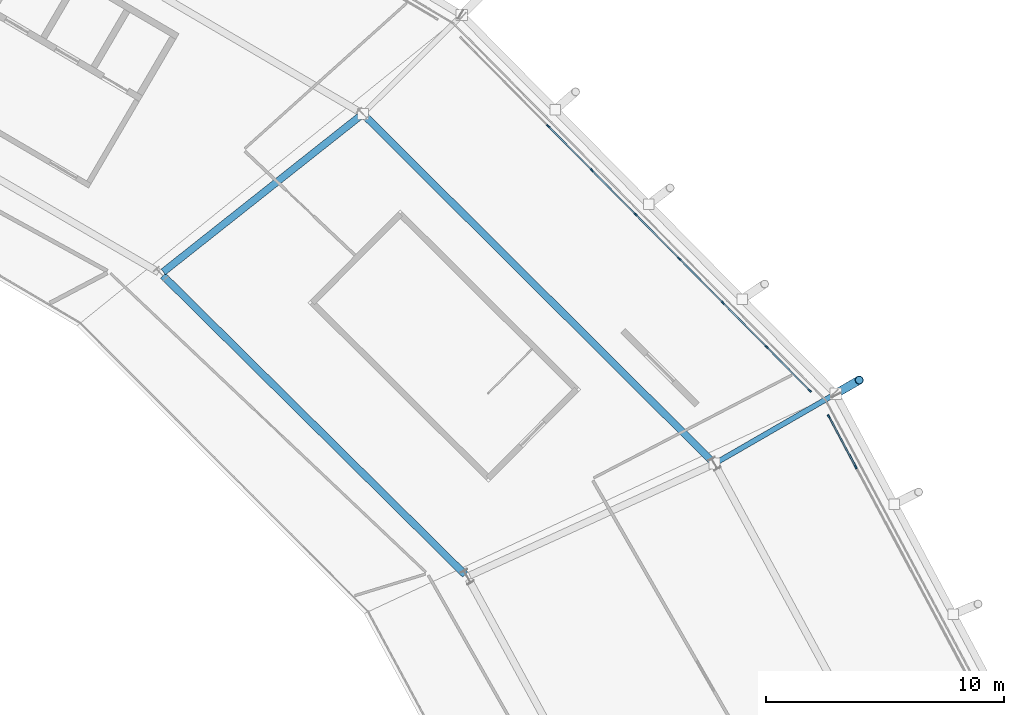
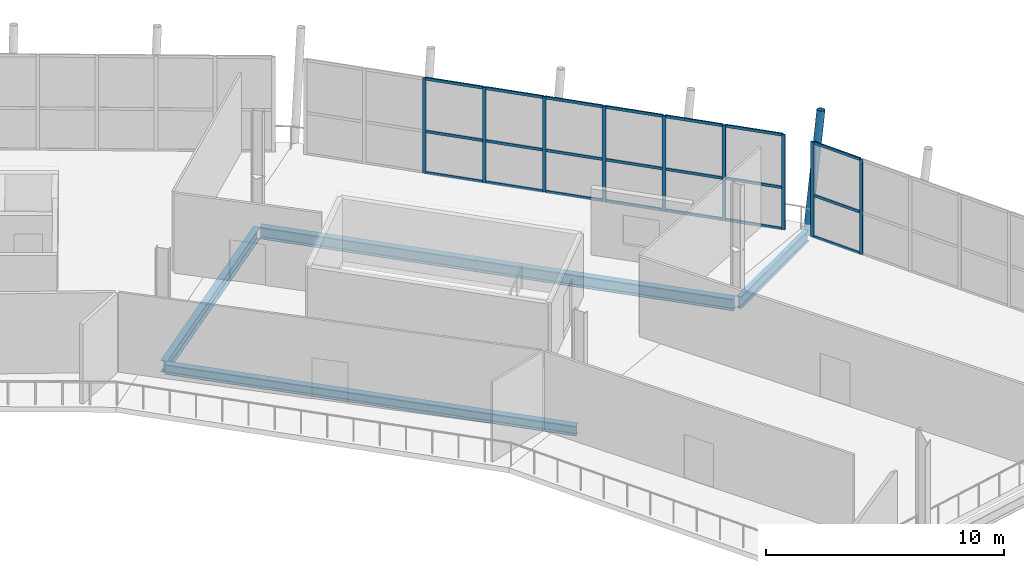
# One storey, part 40 of 99: 31 members, 4 beams, 2 elements without a shape of their own.
"""IFC4 building model written with IfcOpenShell, lengths in metres."""

from ifc_helpers import new_model, si_unit, direction, frame, origin, origin_2d, place, context, subcontext, project, spatial, rectangle, hollow_circle, i_section, extrude, material, material_profile, profile_set, type_object, element, aggregate, save


model = new_model("IFC4")

# Units and contexts
model_context = context("Model", 3, precision=1e-05, world=origin(), true_north=direction((0.0, 1.0)))
body_context = subcontext(model_context, "Body", "Model", "MODEL_VIEW")
ifc_project = project(units=[si_unit("LENGTHUNIT", "METRE"), si_unit("AREAUNIT", "SQUARE_METRE"), si_unit("VOLUMEUNIT", "CUBIC_METRE"), si_unit("PLANEANGLEUNIT", "RADIAN"), si_unit("MASSUNIT", "GRAM", prefix="KILO")], contexts=[model_context])

# Site, building, storey
site_placement = place(None, origin())
site = spatial("IfcSite", under=ifc_project, at=site_placement, CompositionType="ELEMENT")
building_placement = place(site_placement, origin())
building = spatial("IfcBuilding", under=site, at=building_placement, Name="Zlatoyarsky Gate Stadium", CompositionType="ELEMENT")
storey_placement = place(building_placement, frame((0.0, 0.0, 26.199951171875)))
storey = spatial("IfcBuildingStorey", under=building, at=storey_placement, Name="L05", CompositionType="ELEMENT", Elevation=26.199951171875)

# Curtain wall, members
ifc_material_1 = material(Name="Thermally broken anodised aluminium curtain wall", Category="aluminium")
curtain_wall_type = type_object("IfcCurtainWallType", Name="UNITISED SKYBOX RING GLAZING L05", PredefinedType="USERDEFINED", material=ifc_material_1)
curtain_wall_1_placement = place(storey_placement, origin())
curtain_wall_1 = element("IfcCurtainWall", 1, at=curtain_wall_1_placement, inside=storey, type_object=curtain_wall_type, Name="Curtain wall CW-L05-01", ObjectType="UNITISED GLAZING", PredefinedType="USERDEFINED")
ifc_material_2 = material(Name="Anodised aluminium 6063-T6", Category="aluminium")
ifc_material_profile_1 = material_profile(ifc_material_2, rectangle(XDim=0.06494140625, YDim=0.159912109375, at=origin_2d()), Name="ALU 65X160")
ifc_profile_set_1 = profile_set([ifc_material_profile_1], Name="Anodised aluminium 6063-T6")
member_type_1 = type_object("IfcMemberType", Name="ALUMINIUM MULLION 65X160", PredefinedType="MULLION", material=ifc_profile_set_1)
member_1_placement = place(storey_placement, frame((197.480224609375, 115.3623046875, 0.0), z_axis=(0.0, 0.0, 1.0), x_axis=(-0.882166738191, -0.470937199667, 0.0)))
member_1 = element("IfcMember", 2, at=member_1_placement, type_object=member_type_1, Name="CW-UG5 mullion 8", PredefinedType="MULLION", context=body_context, shape_type="SweptSolid", body=[
    extrude(rectangle(XDim=0.06494140625, YDim=0.159912109375, at=origin_2d()), origin(), (0.0, 0.0, 1.0), 4.880126953125),
])
member_2_placement = place(storey_placement, frame((196.34619140625, 117.48681640625, 0.0), z_axis=(0.0, 0.0, 1.0), x_axis=(-0.882166738191, -0.470937199667, 0.0)))
member_2 = element("IfcMember", 3, at=member_2_placement, type_object=member_type_1, Name="CW-UG5 mullion 9", PredefinedType="MULLION", context=body_context, shape_type="SweptSolid", body=[
    extrude(rectangle(XDim=0.06494140625, YDim=0.159912109375, at=origin_2d()), origin(), (0.0, 0.0, 1.0), 4.880126953125),
])

curtain_wall_2_placement = place(storey_placement, origin())
curtain_wall_2 = element("IfcCurtainWall", 4, at=curtain_wall_2_placement, inside=storey, type_object=curtain_wall_type, Name="Curtain wall CW-L05-02", ObjectType="UNITISED GLAZING", PredefinedType="USERDEFINED")
member_3_placement = place(storey_placement, frame((195.544677734375, 118.57421875, 0.0), z_axis=(0.0, 0.0, 1.0), x_axis=(-0.711035710587, -0.70315589898, 0.0)))
member_3 = element("IfcMember", 5, at=member_3_placement, type_object=member_type_1, Name="CW-UG5 mullion 1", PredefinedType="MULLION", context=body_context, shape_type="SweptSolid", body=[
    extrude(rectangle(XDim=0.06494140625, YDim=0.159912109375, at=origin_2d()), origin(), (0.0, 0.0, 1.0), 4.880126953125),
])
member_4_placement = place(storey_placement, frame((193.731689453125, 120.40771484375, 0.0), z_axis=(0.0, 0.0, 1.0), x_axis=(-0.711035710587, -0.70315589898, 0.0)))
member_4 = element("IfcMember", 6, at=member_4_placement, type_object=member_type_1, Name="CW-UG5 mullion 2", PredefinedType="MULLION", context=body_context, shape_type="SweptSolid", body=[
    extrude(rectangle(XDim=0.06494140625, YDim=0.159912109375, at=origin_2d()), origin(), (0.0, 0.0, 1.0), 4.880126953125),
])
member_5_placement = place(storey_placement, frame((191.8955078125, 122.264404296875, 0.0), z_axis=(0.0, 0.0, 1.0), x_axis=(-0.711035710587, -0.70315589898, 0.0)))
member_5 = element("IfcMember", 7, at=member_5_placement, type_object=member_type_1, Name="CW-UG5 mullion 3", PredefinedType="MULLION", context=body_context, shape_type="SweptSolid", body=[
    extrude(rectangle(XDim=0.06494140625, YDim=0.159912109375, at=origin_2d()), origin(), (0.0, 0.0, 1.0), 4.880126953125),
])
member_6_placement = place(storey_placement, frame((190.0595703125, 124.120849609375, 0.0), z_axis=(0.0, 0.0, 1.0), x_axis=(-0.711035710587, -0.70315589898, 0.0)))
member_6 = element("IfcMember", 8, at=member_6_placement, type_object=member_type_1, Name="CW-UG5 mullion 4", PredefinedType="MULLION", context=body_context, shape_type="SweptSolid", body=[
    extrude(rectangle(XDim=0.06494140625, YDim=0.159912109375, at=origin_2d()), origin(), (0.0, 0.0, 1.0), 4.880126953125),
])
member_7_placement = place(storey_placement, frame((188.2236328125, 125.9775390625, 0.0), z_axis=(0.0, 0.0, 1.0), x_axis=(-0.711035710587, -0.70315589898, 0.0)))
member_7 = element("IfcMember", 9, at=member_7_placement, type_object=member_type_1, Name="CW-UG5 mullion 5", PredefinedType="MULLION", context=body_context, shape_type="SweptSolid", body=[
    extrude(rectangle(XDim=0.06494140625, YDim=0.159912109375, at=origin_2d()), origin(), (0.0, 0.0, 1.0), 4.880126953125),
])
member_8_placement = place(storey_placement, frame((186.387451171875, 127.834228515625, 0.0), z_axis=(0.0, 0.0, 1.0), x_axis=(-0.711035710587, -0.70315589898, 0.0)))
member_8 = element("IfcMember", 10, at=member_8_placement, type_object=member_type_1, Name="CW-UG5 mullion 6", PredefinedType="MULLION", context=body_context, shape_type="SweptSolid", body=[
    extrude(rectangle(XDim=0.06494140625, YDim=0.159912109375, at=origin_2d()), origin(), (0.0, 0.0, 1.0), 4.880126953125),
])
member_9_placement = place(storey_placement, frame((184.551513671875, 129.690673828125, 0.0), z_axis=(0.0, 0.0, 1.0), x_axis=(-0.711035710587, -0.70315589898, 0.0)))
member_9 = element("IfcMember", 11, at=member_9_placement, type_object=member_type_1, Name="CW-UG5 mullion 7", PredefinedType="MULLION", context=body_context, shape_type="SweptSolid", body=[
    extrude(rectangle(XDim=0.06494140625, YDim=0.159912109375, at=origin_2d()), origin(), (0.0, 0.0, 1.0), 4.880126953125),
])

# Member
ifc_material_profile_2 = material_profile(ifc_material_2, rectangle(XDim=0.06494140625, YDim=0.139892578125, at=origin_2d()), Name="ALU 65X140")
ifc_profile_set_2 = profile_set([ifc_material_profile_2], Name="Anodised aluminium 6063-T6")
member_type_2 = type_object("IfcMemberType", Name="ALUMINIUM TRANSOM 65X140", PredefinedType="USERDEFINED", material=ifc_profile_set_2)
member_10_placement = place(storey_placement, frame((197.465087890625, 115.39111328125, 0.032470703125), z_axis=(-0.471015370143, 0.882125003097, 0.0), x_axis=(-0.882125003097, -0.471015370143, 0.0)))
member_10 = element("IfcMember", 12, at=member_10_placement, type_object=member_type_2, Name="CW-UG5 transom 8.1", ObjectType="TRANSOM", PredefinedType="USERDEFINED", context=body_context, shape_type="SweptSolid", body=[
    extrude(rectangle(XDim=0.06494140625, YDim=0.139892578125, at=origin_2d()), origin(), (0.0, 0.0, 1.0), 2.34326171875),
])

member_11_placement = place(storey_placement, frame((197.465087890625, 115.39111328125, 2.150146484375), z_axis=(-0.471015370143, 0.882125003097, 0.0), x_axis=(-0.882125003097, -0.471015370143, 0.0)))
member_11 = element("IfcMember", 13, at=member_11_placement, type_object=member_type_2, Name="CW-UG5 transom 8.2", ObjectType="TRANSOM", PredefinedType="USERDEFINED", context=body_context, shape_type="SweptSolid", body=[
    extrude(rectangle(XDim=0.06494140625, YDim=0.139892578125, at=origin_2d()), origin(), (0.0, 0.0, 1.0), 2.34326171875),
])

member_12_placement = place(storey_placement, frame((197.465087890625, 115.39111328125, 4.84765625), z_axis=(-0.471015370143, 0.882125003097, 0.0), x_axis=(-0.882125003097, -0.471015370143, 0.0)))
member_12 = element("IfcMember", 14, at=member_12_placement, type_object=member_type_2, Name="CW-UG5 transom 8.3", ObjectType="TRANSOM", PredefinedType="USERDEFINED", context=body_context, shape_type="SweptSolid", body=[
    extrude(rectangle(XDim=0.06494140625, YDim=0.139892578125, at=origin_2d()), origin(), (0.0, 0.0, 1.0), 2.34326171875),
])

aggregate(curtain_wall_1, [member_1, member_2, member_10, member_11, member_12])

member_13_placement = place(storey_placement, frame((195.52197265625, 118.597412109375, 0.032470703125), z_axis=(-0.703162404699, 0.711029276906, 0.0), x_axis=(-0.711029276906, -0.703162404699, 0.0)))
member_13 = element("IfcMember", 15, at=member_13_placement, type_object=member_type_2, Name="CW-UG5 transom 1.1", ObjectType="TRANSOM", PredefinedType="USERDEFINED", context=body_context, shape_type="SweptSolid", body=[
    extrude(rectangle(XDim=0.06494140625, YDim=0.139892578125, at=origin_2d()), origin(), (0.0, 0.0, 1.0), 2.513671875),
])

member_14_placement = place(storey_placement, frame((195.52197265625, 118.597412109375, 2.150146484375), z_axis=(-0.703162404699, 0.711029276906, 0.0), x_axis=(-0.711029276906, -0.703162404699, 0.0)))
member_14 = element("IfcMember", 16, at=member_14_placement, type_object=member_type_2, Name="CW-UG5 transom 1.2", ObjectType="TRANSOM", PredefinedType="USERDEFINED", context=body_context, shape_type="SweptSolid", body=[
    extrude(rectangle(XDim=0.06494140625, YDim=0.139892578125, at=origin_2d()), origin(), (0.0, 0.0, 1.0), 2.513671875),
])

member_15_placement = place(storey_placement, frame((195.52197265625, 118.597412109375, 4.84765625), z_axis=(-0.703162404699, 0.711029276906, 0.0), x_axis=(-0.711029276906, -0.703162404699, 0.0)))
member_15 = element("IfcMember", 17, at=member_15_placement, type_object=member_type_2, Name="CW-UG5 transom 1.3", ObjectType="TRANSOM", PredefinedType="USERDEFINED", context=body_context, shape_type="SweptSolid", body=[
    extrude(rectangle(XDim=0.06494140625, YDim=0.139892578125, at=origin_2d()), origin(), (0.0, 0.0, 1.0), 2.513671875),
])

member_16_placement = place(storey_placement, frame((193.708740234375, 120.430908203125, 0.032470703125), z_axis=(-0.7031643449, 0.711027358166, 0.0), x_axis=(-0.711027358166, -0.7031643449, 0.0)))
member_16 = element("IfcMember", 18, at=member_16_placement, type_object=member_type_2, Name="CW-UG5 transom 2.1", ObjectType="TRANSOM", PredefinedType="USERDEFINED", context=body_context, shape_type="SweptSolid", body=[
    extrude(rectangle(XDim=0.06494140625, YDim=0.139892578125, at=origin_2d()), origin(), (0.0, 0.0, 1.0), 2.546142578125),
])

member_17_placement = place(storey_placement, frame((193.708740234375, 120.430908203125, 2.150146484375), z_axis=(-0.7031643449, 0.711027358166, 0.0), x_axis=(-0.711027358166, -0.7031643449, 0.0)))
member_17 = element("IfcMember", 19, at=member_17_placement, type_object=member_type_2, Name="CW-UG5 transom 2.2", ObjectType="TRANSOM", PredefinedType="USERDEFINED", context=body_context, shape_type="SweptSolid", body=[
    extrude(rectangle(XDim=0.06494140625, YDim=0.139892578125, at=origin_2d()), origin(), (0.0, 0.0, 1.0), 2.546142578125),
])

member_18_placement = place(storey_placement, frame((193.708740234375, 120.430908203125, 4.84765625), z_axis=(-0.7031643449, 0.711027358166, 0.0), x_axis=(-0.711027358166, -0.7031643449, 0.0)))
member_18 = element("IfcMember", 20, at=member_18_placement, type_object=member_type_2, Name="CW-UG5 transom 2.3", ObjectType="TRANSOM", PredefinedType="USERDEFINED", context=body_context, shape_type="SweptSolid", body=[
    extrude(rectangle(XDim=0.06494140625, YDim=0.139892578125, at=origin_2d()), origin(), (0.0, 0.0, 1.0), 2.546142578125),
])

member_19_placement = place(storey_placement, frame((191.872802734375, 122.28759765625, 0.032470703125), z_axis=(-0.7031643449, 0.711027358166, 0.0), x_axis=(-0.711027358166, -0.7031643449, 0.0)))
member_19 = element("IfcMember", 21, at=member_19_placement, type_object=member_type_2, Name="CW-UG5 transom 3.1", ObjectType="TRANSOM", PredefinedType="USERDEFINED", context=body_context, shape_type="SweptSolid", body=[
    extrude(rectangle(XDim=0.06494140625, YDim=0.139892578125, at=origin_2d()), origin(), (0.0, 0.0, 1.0), 2.546142578125),
])

member_20_placement = place(storey_placement, frame((191.872802734375, 122.28759765625, 2.150146484375), z_axis=(-0.7031643449, 0.711027358166, 0.0), x_axis=(-0.711027358166, -0.7031643449, 0.0)))
member_20 = element("IfcMember", 22, at=member_20_placement, type_object=member_type_2, Name="CW-UG5 transom 3.2", ObjectType="TRANSOM", PredefinedType="USERDEFINED", context=body_context, shape_type="SweptSolid", body=[
    extrude(rectangle(XDim=0.06494140625, YDim=0.139892578125, at=origin_2d()), origin(), (0.0, 0.0, 1.0), 2.546142578125),
])

member_21_placement = place(storey_placement, frame((191.872802734375, 122.28759765625, 4.84765625), z_axis=(-0.7031643449, 0.711027358166, 0.0), x_axis=(-0.711027358166, -0.7031643449, 0.0)))
member_21 = element("IfcMember", 23, at=member_21_placement, type_object=member_type_2, Name="CW-UG5 transom 3.3", ObjectType="TRANSOM", PredefinedType="USERDEFINED", context=body_context, shape_type="SweptSolid", body=[
    extrude(rectangle(XDim=0.06494140625, YDim=0.139892578125, at=origin_2d()), origin(), (0.0, 0.0, 1.0), 2.546142578125),
])

member_22_placement = place(storey_placement, frame((190.03662109375, 124.14404296875, 0.032470703125), z_axis=(-0.7031643449, 0.711027358166, 0.0), x_axis=(-0.711027358166, -0.7031643449, 0.0)))
member_22 = element("IfcMember", 24, at=member_22_placement, type_object=member_type_2, Name="CW-UG5 transom 4.1", ObjectType="TRANSOM", PredefinedType="USERDEFINED", context=body_context, shape_type="SweptSolid", body=[
    extrude(rectangle(XDim=0.06494140625, YDim=0.139892578125, at=origin_2d()), origin(), (0.0, 0.0, 1.0), 2.546142578125),
])

member_23_placement = place(storey_placement, frame((190.03662109375, 124.14404296875, 2.150146484375), z_axis=(-0.7031643449, 0.711027358166, 0.0), x_axis=(-0.711027358166, -0.7031643449, 0.0)))
member_23 = element("IfcMember", 25, at=member_23_placement, type_object=member_type_2, Name="CW-UG5 transom 4.2", ObjectType="TRANSOM", PredefinedType="USERDEFINED", context=body_context, shape_type="SweptSolid", body=[
    extrude(rectangle(XDim=0.06494140625, YDim=0.139892578125, at=origin_2d()), origin(), (0.0, 0.0, 1.0), 2.546142578125),
])

member_24_placement = place(storey_placement, frame((190.03662109375, 124.14404296875, 4.84765625), z_axis=(-0.7031643449, 0.711027358166, 0.0), x_axis=(-0.711027358166, -0.7031643449, 0.0)))
member_24 = element("IfcMember", 26, at=member_24_placement, type_object=member_type_2, Name="CW-UG5 transom 4.3", ObjectType="TRANSOM", PredefinedType="USERDEFINED", context=body_context, shape_type="SweptSolid", body=[
    extrude(rectangle(XDim=0.06494140625, YDim=0.139892578125, at=origin_2d()), origin(), (0.0, 0.0, 1.0), 2.546142578125),
])

member_25_placement = place(storey_placement, frame((188.20068359375, 126.000732421875, 0.032470703125), z_axis=(-0.7031643449, 0.711027358166, 0.0), x_axis=(-0.711027358166, -0.7031643449, 0.0)))
member_25 = element("IfcMember", 27, at=member_25_placement, type_object=member_type_2, Name="CW-UG5 transom 5.1", ObjectType="TRANSOM", PredefinedType="USERDEFINED", context=body_context, shape_type="SweptSolid", body=[
    extrude(rectangle(XDim=0.06494140625, YDim=0.139892578125, at=origin_2d()), origin(), (0.0, 0.0, 1.0), 2.546142578125),
])

member_26_placement = place(storey_placement, frame((188.20068359375, 126.000732421875, 2.150146484375), z_axis=(-0.7031643449, 0.711027358166, 0.0), x_axis=(-0.711027358166, -0.7031643449, 0.0)))
member_26 = element("IfcMember", 28, at=member_26_placement, type_object=member_type_2, Name="CW-UG5 transom 5.2", ObjectType="TRANSOM", PredefinedType="USERDEFINED", context=body_context, shape_type="SweptSolid", body=[
    extrude(rectangle(XDim=0.06494140625, YDim=0.139892578125, at=origin_2d()), origin(), (0.0, 0.0, 1.0), 2.546142578125),
])

member_27_placement = place(storey_placement, frame((188.20068359375, 126.000732421875, 4.84765625), z_axis=(-0.7031643449, 0.711027358166, 0.0), x_axis=(-0.711027358166, -0.7031643449, 0.0)))
member_27 = element("IfcMember", 29, at=member_27_placement, type_object=member_type_2, Name="CW-UG5 transom 5.3", ObjectType="TRANSOM", PredefinedType="USERDEFINED", context=body_context, shape_type="SweptSolid", body=[
    extrude(rectangle(XDim=0.06494140625, YDim=0.139892578125, at=origin_2d()), origin(), (0.0, 0.0, 1.0), 2.546142578125),
])

member_28_placement = place(storey_placement, frame((186.36474609375, 127.857177734375, 0.032470703125), z_axis=(-0.703116404332, 0.711074765379, 0.0), x_axis=(-0.711074765379, -0.703116404332, 0.0)))
member_28 = element("IfcMember", 30, at=member_28_placement, type_object=member_type_2, Name="CW-UG5 transom 6.1", ObjectType="TRANSOM", PredefinedType="USERDEFINED", context=body_context, shape_type="SweptSolid", body=[
    extrude(rectangle(XDim=0.06494140625, YDim=0.139892578125, at=origin_2d()), origin(), (0.0, 0.0, 1.0), 2.546142578125),
])

member_29_placement = place(storey_placement, frame((186.36474609375, 127.857177734375, 2.150146484375), z_axis=(-0.703116404332, 0.711074765379, 0.0), x_axis=(-0.711074765379, -0.703116404332, 0.0)))
member_29 = element("IfcMember", 31, at=member_29_placement, type_object=member_type_2, Name="CW-UG5 transom 6.2", ObjectType="TRANSOM", PredefinedType="USERDEFINED", context=body_context, shape_type="SweptSolid", body=[
    extrude(rectangle(XDim=0.06494140625, YDim=0.139892578125, at=origin_2d()), origin(), (0.0, 0.0, 1.0), 2.546142578125),
])

member_30_placement = place(storey_placement, frame((186.36474609375, 127.857177734375, 4.84765625), z_axis=(-0.703116404332, 0.711074765379, 0.0), x_axis=(-0.711074765379, -0.703116404332, 0.0)))
member_30 = element("IfcMember", 32, at=member_30_placement, type_object=member_type_2, Name="CW-UG5 transom 6.3", ObjectType="TRANSOM", PredefinedType="USERDEFINED", context=body_context, shape_type="SweptSolid", body=[
    extrude(rectangle(XDim=0.06494140625, YDim=0.139892578125, at=origin_2d()), origin(), (0.0, 0.0, 1.0), 2.546142578125),
])

aggregate(curtain_wall_2, [member_3, member_4, member_5, member_6, member_7, member_8, member_9, member_13, member_14, member_15, member_16, member_17, member_18, member_19, member_20, member_21, member_22, member_23, member_24, member_25, member_26, member_27, member_28, member_29, member_30])

# Beam
ifc_material_3 = material(Name="Steel S355", Category="steel")
ifc_material_profile_3 = material_profile(ifc_material_3, i_section(OverallWidth=0.219970703125, OverallDepth=0.60009765625, WebThickness=0.011962890625, FlangeThickness=0.01904296875, FilletRadius=0.02392578125, at=origin_2d()), Name="IPE 600")
ifc_profile_set_3 = profile_set([ifc_material_profile_3], Name="Steel S355")
beam_type_1 = type_object("IfcBeamType", Name="STEEL CANTILEVER FLOOR BEAM IPE 600", PredefinedType="BEAM", material=ifc_profile_set_3)
beam_1_placement = place(storey_placement, frame((191.644287109375, 115.56005859375, -0.56005859375), z_axis=(0.866032366698, 0.499987939687, 0.0), x_axis=(-0.499987939687, 0.866032366698, 0.0)))
element("IfcBeam", 33, at=beam_1_placement, inside=storey, type_object=beam_type_1, Name="Beam B-IPE600 BM-L05-OUT-02", PredefinedType="BEAM", context=body_context, shape_type="SweptSolid", body=[
    extrude(i_section(OverallWidth=0.219970703125, OverallDepth=0.60009765625, WebThickness=0.011962890625, FlangeThickness=0.01904296875, FilletRadius=0.02392578125, at=origin_2d()), origin(), (0.0, 0.0, 1.0), 5.758056640625),
])

# Member
ifc_material_profile_4 = material_profile(ifc_material_3, hollow_circle(Radius=0.177734375, WallThickness=0.02001953125, at=origin_2d()), Name="CHS 355.6X20")
ifc_profile_set_4 = profile_set([ifc_material_profile_4], Name="Steel S355")
member_type_3 = type_object("IfcMemberType", Name="STEEL LEANING RIB RING STRUT CHS 355.6X20", PredefinedType="STRUT", material=ifc_profile_set_4)
member_31_placement = place(storey_placement, frame((196.630859375, 118.43896484375, -0.56005859375), z_axis=(0.170925398241, 0.098707531353, 0.980327155337), x_axis=(-0.500090077572, 0.865973391227, 0.0)))
element("IfcMember", 34, at=member_31_placement, inside=storey, type_object=member_type_3, Name="Upper leaning rib ring strut 02", PredefinedType="STRUT", context=body_context, shape_type="SweptSolid", body=[
    extrude(hollow_circle(Radius=0.177734375, WallThickness=0.02001953125, at=origin_2d()), origin(), (0.0, 0.0, 1.0), 5.82470703125),
])

# Beams
ifc_material_profile_5 = material_profile(ifc_material_3, i_section(OverallWidth=0.300048828125, OverallDepth=0.5, WebThickness=0.014404296875, FlangeThickness=0.028076171875, FilletRadius=0.027099609375, at=origin_2d()), Name="HEB 500")
ifc_profile_set_5 = profile_set([ifc_material_profile_5], Name="Steel S355")
beam_type_2 = type_object("IfcBeamType", Name="STEEL PRIMARY GIRDER HEB 500", PredefinedType="BEAM", material=ifc_profile_set_5)
beam_2_placement = place(storey_placement, frame((181.062744140625, 110.83447265625, -0.510009765625), z_axis=(-0.710840510009, 0.703353232259, 0.0), x_axis=(-0.703353232259, -0.710840510009, 0.0)))
element("IfcBeam", 35, at=beam_2_placement, inside=storey, type_object=beam_type_2, Name="Beam G-HEB500 BM-L05-CRB-02", PredefinedType="BEAM", context=body_context, shape_type="SweptSolid", body=[
    extrude(i_section(OverallWidth=0.300048828125, OverallDepth=0.5, WebThickness=0.014404296875, FlangeThickness=0.028076171875, FilletRadius=0.027099609375, at=origin_2d()), origin(), (0.0, 0.0, 1.0), 17.868896484375),
])
ifc_material_profile_6 = material_profile(ifc_material_3, i_section(OverallWidth=0.300048828125, OverallDepth=0.60009765625, WebThickness=0.015380859375, FlangeThickness=0.030029296875, FilletRadius=0.027099609375, at=origin_2d()), Name="HEB 600")
ifc_profile_set_6 = profile_set([ifc_material_profile_6], Name="Steel S355")
beam_type_3 = type_object("IfcBeamType", Name="STEEL PRIMARY GIRDER HEB 600", PredefinedType="BEAM", material=ifc_profile_set_6)
beam_3_placement = place(storey_placement, frame((191.455322265625, 115.584716796875, -0.56005859375), z_axis=(-0.708899260134, 0.705309746835, 0.0), x_axis=(-0.705309746835, -0.708899260134, 0.0)))
element("IfcBeam", 36, at=beam_3_placement, inside=storey, type_object=beam_type_3, Name="Beam G-HEB600 BM-L05-CRC-02", PredefinedType="BEAM", context=body_context, shape_type="SweptSolid", body=[
    extrude(i_section(OverallWidth=0.300048828125, OverallDepth=0.60009765625, WebThickness=0.015380859375, FlangeThickness=0.030029296875, FilletRadius=0.027099609375, at=origin_2d()), origin(), (0.0, 0.0, 1.0), 20.608642578125),
])
beam_4_placement = place(storey_placement, frame((168.36962890625, 123.5615234375, -0.56005859375), z_axis=(0.78404348542, 0.620705898933, 0.0), x_axis=(-0.620705898933, 0.78404348542, 0.0)))
element("IfcBeam", 37, at=beam_4_placement, inside=storey, type_object=beam_type_3, Name="Beam G-HEB600 BM-L05-RBC-03", PredefinedType="BEAM", context=body_context, shape_type="SweptSolid", body=[
    extrude(i_section(OverallWidth=0.300048828125, OverallDepth=0.60009765625, WebThickness=0.015380859375, FlangeThickness=0.030029296875, FilletRadius=0.027099609375, at=origin_2d()), origin(), (0.0, 0.0, 1.0), 10.58251953125),
])

save(model, "model.ifc")
